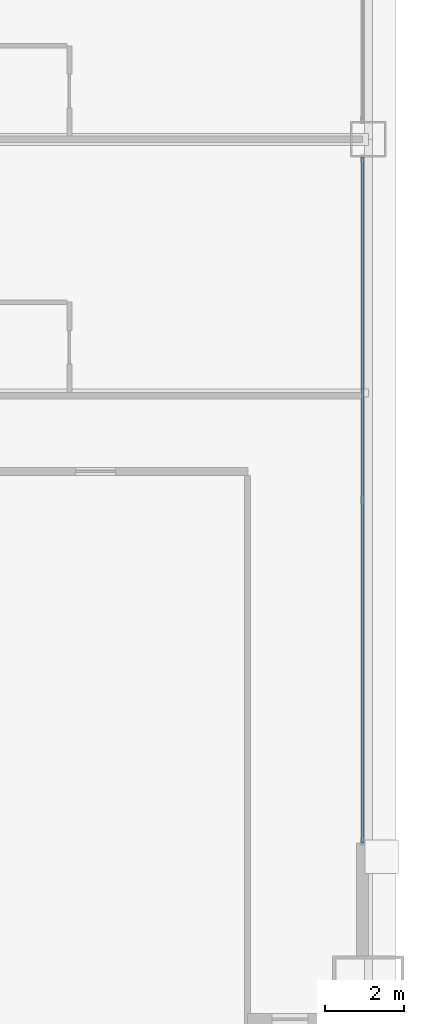
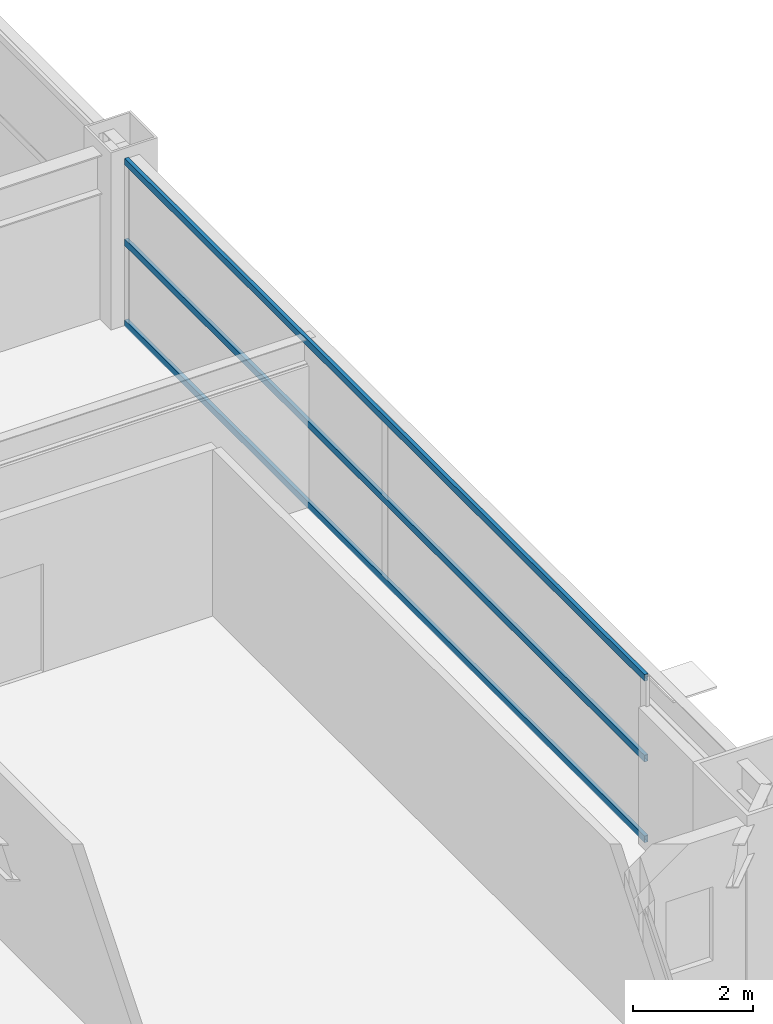
# One storey, part 20 of 43: 3 members, 1 element without a shape of its own.
"""IFC4 building model written with IfcOpenShell, lengths in metres."""

import ifcopenshell
import ifcopenshell.guid

model = None  # the IFC model being written
_history = None  # IfcOwnerHistory: only IFC2X3 demands one
_inside = {}  # id of a spatial element -> (the spatial element, [elements in it])
_under = {}  # id of a project, library or spatial element -> (it, [spatial elements below it])
_declared = {}  # id of a project -> (the project, [libraries it declares])
_typed = {}  # id of a type object -> (the type object, [elements of that type])
_made_of = {}  # id of a material, layer set ... -> (it, [elements and type objects made of it])


def new_model(schema):
    """Start an empty IFC model of exactly this schema.

    Asked for "IFC4X3", IfcOpenShell would pick the latest addendum, in which some entities
    have other attributes; the version numbers below select the first issue.
    IFC2X3 requires an IfcOwnerHistory on every rooted entity: one is made here for all.
    """
    global model, _history
    if schema == "IFC4X3":
        model = ifcopenshell.file(schema_version=(4, 3, 0, 0))
    else:
        model = ifcopenshell.file(schema=schema)
    _inside.clear()
    _under.clear()
    _declared.clear()
    _typed.clear()
    _made_of.clear()
    _history = None
    if model.schema == "IFC2X3":
        org = make("IfcOrganization", Name="unknown")
        user = make(
            "IfcPersonAndOrganization",
            ThePerson=make("IfcPerson", FamilyName="unknown"),
            TheOrganization=org,
        )
        app = make(
            "IfcApplication",
            ApplicationDeveloper=org,
            Version="unknown",
            ApplicationFullName="unknown",
            ApplicationIdentifier="unknown",
        )
        _history = make(
            "IfcOwnerHistory",
            OwningUser=user,
            OwningApplication=app,
            ChangeAction="ADDED",
            CreationDate=0,
        )
    return model


def make(cls, **values):
    """One entity of the class cls with the attributes given. An attribute that is None is left unset."""
    return model.create_entity(
        cls, **{name: value for name, value in values.items() if value is not None}
    )


def rooted(cls, **values):
    """An entity with a GlobalId (a new one), such as an element, a storey or a relation."""
    return make(cls, GlobalId=ifcopenshell.guid.new(), OwnerHistory=_history, **values)


def si_unit(unit_type, name, prefix=None):
    """IfcSIUnit, for example si_unit("LENGTHUNIT", "METRE", prefix="MILLI")."""
    return make("IfcSIUnit", UnitType=unit_type, Prefix=prefix, Name=name)


def assignment(units):
    """IfcUnitAssignment: the units of a project."""
    return None if units is None else make("IfcUnitAssignment", Units=units)


def point(xyz):
    """IfcCartesianPoint."""
    return None if xyz is None else make("IfcCartesianPoint", Coordinates=xyz)


def direction(xyz):
    """IfcDirection."""
    return None if xyz is None else make("IfcDirection", DirectionRatios=xyz)


def frame(location, z_axis=None, x_axis=None):
    """IfcAxis2Placement3D, a coordinate frame: its origin and axes. An axis left out is left unset."""
    return make(
        "IfcAxis2Placement3D",
        Location=point(location),
        Axis=direction(z_axis),
        RefDirection=direction(x_axis),
    )


def frame_2d(location, x_axis=None):
    """IfcAxis2Placement2D, a coordinate frame in the plane: its origin and x axis."""
    return make(
        "IfcAxis2Placement2D", Location=point(location), RefDirection=direction(x_axis)
    )


def origin():
    """The frame at (0, 0, 0) with its axes left unset."""
    return frame((0.0, 0.0, 0.0))


def origin_2d():
    """The frame at (0, 0) in the plane with its x axis left unset."""
    return frame_2d((0.0, 0.0))


def place(relative_to, where):
    """IfcLocalPlacement: puts the frame where relative to a parent placement (None: the world)."""
    return make(
        "IfcLocalPlacement", PlacementRelTo=relative_to, RelativePlacement=where
    )


def context(
    kind, dimensions, precision=None, world=None, true_north=None, identifier=None
):
    """IfcGeometricRepresentationContext, for example the 3D "Model" context."""
    return make(
        "IfcGeometricRepresentationContext",
        ContextIdentifier=identifier,
        ContextType=kind,
        CoordinateSpaceDimension=dimensions,
        Precision=precision,
        WorldCoordinateSystem=world,
        TrueNorth=true_north,
    )


def subcontext(parent, identifier, kind, view, scale=None):
    """IfcGeometricRepresentationSubContext, for example "Body" below "Model"."""
    return make(
        "IfcGeometricRepresentationSubContext",
        ContextIdentifier=identifier,
        ContextType=kind,
        ParentContext=parent,
        TargetScale=scale,
        TargetView=view,
    )


def project(units=None, contexts=None):
    """IfcProject with its units and contexts."""
    return rooted(
        "IfcProject",
        Name="project",
        RepresentationContexts=contexts,
        UnitsInContext=assignment(units),
    )


def spatial(cls, under=None, at=None, **own):
    """A site, building, storey or space (cls), placed at a placement, below another one or the project."""
    s = rooted(cls, ObjectPlacement=at, **own)
    if under is not None:
        _under.setdefault(under.id(), (under, []))[1].append(s)
    return s


def profile(cls, at=None, kind="AREA", **sizes):
    """A parametric profile (cls). Its sizes go by their IFC names, for example OverallWidth=200.0."""
    return make(cls, ProfileType=kind, Position=at, **sizes)


def hollow_rectangle(**sizes):
    """IfcRectangleHollowProfileDef."""
    return profile("IfcRectangleHollowProfileDef", **sizes)


def extrude(swept, where, along, depth):
    """IfcExtrudedAreaSolid: the profile swept, set in the frame where, extruded along a direction by depth."""
    return make(
        "IfcExtrudedAreaSolid",
        SweptArea=swept,
        Position=where,
        ExtrudedDirection=direction(along),
        Depth=depth,
    )


def shape(context_of_items, identifier, shape_type, items):
    """IfcShapeRepresentation: the items that make up one representation, for example the "Body"."""
    return make(
        "IfcShapeRepresentation",
        ContextOfItems=context_of_items,
        RepresentationIdentifier=identifier,
        RepresentationType=shape_type,
        Items=items,
    )


def source(mapping_origin, context_of_items, identifier, shape_type, items):
    """IfcRepresentationMap: a shape defined once, which mapped items show again and again."""
    return make(
        "IfcRepresentationMap",
        MappingOrigin=mapping_origin,
        MappedRepresentation=shape(context_of_items, identifier, shape_type, items),
    )


def transform(
    local_origin,
    x_axis=None,
    y_axis=None,
    z_axis=None,
    scale=None,
    scale2=None,
    scale3=None,
    uniform=True,
):
    """IfcCartesianTransformationOperator3D, or its non-uniform kind. x_axis, y_axis, z_axis: its Axis1, 2, 3."""
    if uniform:
        return make(
            "IfcCartesianTransformationOperator3D",
            Axis1=direction(x_axis),
            Axis2=direction(y_axis),
            LocalOrigin=point(local_origin),
            Scale=scale,
            Axis3=direction(z_axis),
        )
    return make(
        "IfcCartesianTransformationOperator3DnonUniform",
        Axis1=direction(x_axis),
        Axis2=direction(y_axis),
        LocalOrigin=point(local_origin),
        Scale=scale,
        Axis3=direction(z_axis),
        Scale2=scale2,
        Scale3=scale3,
    )


def mapped(mapping_source, mapping_target):
    """IfcMappedItem: shows the shape of a source again, moved by a transform."""
    return make(
        "IfcMappedItem", MappingSource=mapping_source, MappingTarget=mapping_target
    )


def material(Name=None, Category=None):
    """IfcMaterial."""
    return make("IfcMaterial", Name=Name, Category=Category)


def layer(
    of_material, thickness, ventilated=None, Name=None, Category=None, Priority=None
):
    """IfcMaterialLayer: one layer of a wall or slab, of a material (None: an air gap)."""
    return make(
        "IfcMaterialLayer",
        Material=of_material,
        LayerThickness=thickness,
        IsVentilated=ventilated,
        Name=Name,
        Category=Category,
        Priority=Priority,
    )


def layer_set(layers, Name=None):
    """IfcMaterialLayerSet."""
    return make("IfcMaterialLayerSet", MaterialLayers=layers, LayerSetName=Name)


def material_profile(
    of_material, cross_section, Name=None, Category=None, Priority=None
):
    """IfcMaterialProfile: a cross section and its material."""
    return make(
        "IfcMaterialProfile",
        Name=Name,
        Material=of_material,
        Profile=cross_section,
        Priority=Priority,
        Category=Category,
    )


def profile_set(profiles, Name=None, composite=None):
    """IfcMaterialProfileSet."""
    return make(
        "IfcMaterialProfileSet",
        Name=Name,
        MaterialProfiles=profiles,
        CompositeProfile=composite,
    )


def made_of(thing, what):
    """Note that an element or type object is made of a material, layer set ...; save() writes the relation."""
    if what is not None:
        _made_of.setdefault(what.id(), (what, []))[1].append(thing)
    return thing


def type_object(cls, material=None, **own):
    """A type object (cls), such as IfcWallType, which elements share."""
    return made_of(rooted(cls, **own), material)


def element(
    cls,
    number,
    at=None,
    inside=None,
    cuts=None,
    type_object=None,
    material=None,
    context=None,
    identifier="Body",
    shape_type=None,
    held_by="IfcProductDefinitionShape",
    body=None,
    shapes=None,
    **own,
):
    """One element of the class cls, such as IfcWall. Its Tag is "e" and its number.

    at: its placement. inside: the storey or other place that contains it. cuts: it is an
    opening in that element (IfcRelVoidsElement). A single representation is given by context,
    identifier, shape_type and body (its items); several are given by shapes. held_by: the class
    of the entity that holds the representations. save() writes the other relations.
    """
    e = rooted(cls, Tag="e%d" % number, ObjectPlacement=at, **own)
    if body is not None:
        shapes = [shape(context, identifier, shape_type, body)]
    if shapes is not None:
        e.Representation = make(held_by, Representations=shapes)
    if inside is not None:
        _inside.setdefault(inside.id(), (inside, []))[1].append(e)
    if cuts is not None:
        rooted(
            "IfcRelVoidsElement", RelatingBuildingElement=cuts, RelatedOpeningElement=e
        )
    if type_object is not None:
        _typed.setdefault(type_object.id(), (type_object, []))[1].append(e)
    return made_of(e, material)


def aggregate(whole, parts):
    """IfcRelAggregates: a whole, such as a stair, and the parts it consists of."""
    return rooted("IfcRelAggregates", RelatingObject=whole, RelatedObjects=parts)


def save(model, path):
    """Write the relations noted so far, then the file.

    IfcRelAggregates (storeys below a building ...), IfcRelContainedInSpatialStructure (elements
    in a storey), IfcRelDefinesByType, IfcRelAssociatesMaterial and IfcRelDeclares: one each for
    every whole, place, type object, material and project.
    """
    for whole, parts in _under.values():
        aggregate(whole, parts)
    for where, things in _inside.values():
        rooted(
            "IfcRelContainedInSpatialStructure",
            RelatedElements=things,
            RelatingStructure=where,
        )
    for kind, things in _typed.values():
        rooted("IfcRelDefinesByType", RelatedObjects=things, RelatingType=kind)
    for what, things in _made_of.values():
        rooted("IfcRelAssociatesMaterial", RelatedObjects=things, RelatingMaterial=what)
    for by, libraries in _declared.values():
        rooted("IfcRelDeclares", RelatingContext=by, RelatedDefinitions=libraries)
    model.write(path)


model = new_model("IFC4")

# Units and contexts
model_context = context("Model", 3, precision=1e-05, world=origin(), true_north=direction((0.0, 1.0)))
body_context = subcontext(model_context, "Body", "Model", "MODEL_VIEW")
ifc_project = project(units=[si_unit("LENGTHUNIT", "METRE"), si_unit("AREAUNIT", "SQUARE_METRE"), si_unit("VOLUMEUNIT", "CUBIC_METRE"), si_unit("PLANEANGLEUNIT", "RADIAN"), si_unit("MASSUNIT", "GRAM", prefix="KILO"), si_unit("THERMODYNAMICTEMPERATUREUNIT", "KELVIN"), si_unit("POWERUNIT", "WATT")], contexts=[model_context])

# Site, building, storey
site_placement = place(None, origin())
site = spatial("IfcSite", under=ifc_project, at=site_placement, CompositionType="ELEMENT")
building_placement = place(site_placement, origin())
building = spatial("IfcBuilding", under=site, at=building_placement, Name="Yuzanri Waterfront Tower", CompositionType="ELEMENT")
storey_placement = place(building_placement, frame((0.0, 0.0, 78.39990234375)))
storey = spatial("IfcBuildingStorey", under=building, at=storey_placement, Name="L20", CompositionType="ELEMENT", Elevation=78.39990234375)

# Curtain wall, members
ifc_material_1 = material(Name="Anodized Architectural Bronze", Category="metal")
ifc_layer = layer(ifc_material_1, 0.159912109375)
ifc_layer_set = layer_set([ifc_layer], Name="Anodized Architectural Bronze")
curtain_wall_type = type_object("IfcCurtainWallType", Name="Anodized Bronze Hotel Lower-Tier Recessed Unitized Curtain Wall 8100", PredefinedType="NOTDEFINED", material=ifc_layer_set)
curtain_wall_placement = place(storey_placement, origin())
curtain_wall = element("IfcCurtainWall", 1, at=curtain_wall_placement, inside=storey, type_object=curtain_wall_type, Name="L20 Curtain Wall CW-L20-EL", PredefinedType="NOTDEFINED")
ifc_material_2 = material(Name="Anodized Architectural Bronze", Category="metal")
ifc_material_profile = material_profile(ifc_material_2, hollow_rectangle(XDim=0.070068359375, YDim=0.135009765625, WallThickness=0.00341796875, at=origin_2d()), Name="CWT 70x135")
ifc_profile_set = profile_set([ifc_material_profile], Name="Anodized Architectural Bronze")
member_type = type_object("IfcMemberType", Name="Anodized Bronze Standard Curtain-Wall Transom 70x135", PredefinedType="USERDEFINED", material=ifc_profile_set)
shared_shape = source(origin(), body_context, "Body", "SweptSolid", [
    extrude(hollow_rectangle(XDim=0.070068359375, YDim=0.135009765625, WallThickness=0.00341796875, at=origin_2d()), origin(), (0.0, 0.0, 1.0), 17.300048828125),
])
member_1_placement = place(storey_placement, frame((61.949951171875, 8.050048828125, 0.050048828125), z_axis=(0.0, 1.0, 0.0), x_axis=(-1.0, 0.0, 0.0)))
member_1 = element("IfcMember", 2, at=member_1_placement, type_object=member_type, Name="CW-L20-EL Transom 1", ObjectType="TRANSOM", PredefinedType="USERDEFINED", context=body_context, shape_type="MappedRepresentation", body=[
    mapped(shared_shape, transform((0.0, 0.0, 0.0), scale=1.0)),
])
member_2_placement = place(storey_placement, frame((61.949951171875, 8.050048828125, 1.690185546875), z_axis=(0.0, 1.0, 0.0), x_axis=(-1.0, 0.0, 0.0)))
member_2 = element("IfcMember", 3, at=member_2_placement, type_object=member_type, Name="CW-L20-EL Transom 2", ObjectType="TRANSOM", PredefinedType="USERDEFINED", context=body_context, shape_type="MappedRepresentation", body=[
    mapped(shared_shape, transform((0.0, 0.0, 0.0), scale=1.0)),
])
member_3_placement = place(storey_placement, frame((61.949951171875, 8.050048828125, 3.330078125), z_axis=(0.0, 1.0, 0.0), x_axis=(-1.0, 0.0, 0.0)))
member_3 = element("IfcMember", 4, at=member_3_placement, type_object=member_type, Name="CW-L20-EL Transom 3", ObjectType="TRANSOM", PredefinedType="USERDEFINED", context=body_context, shape_type="MappedRepresentation", body=[
    mapped(shared_shape, transform((0.0, 0.0, 0.0), scale=1.0)),
])
aggregate(curtain_wall, [member_1, member_2, member_3])

save(model, "model.ifc")
